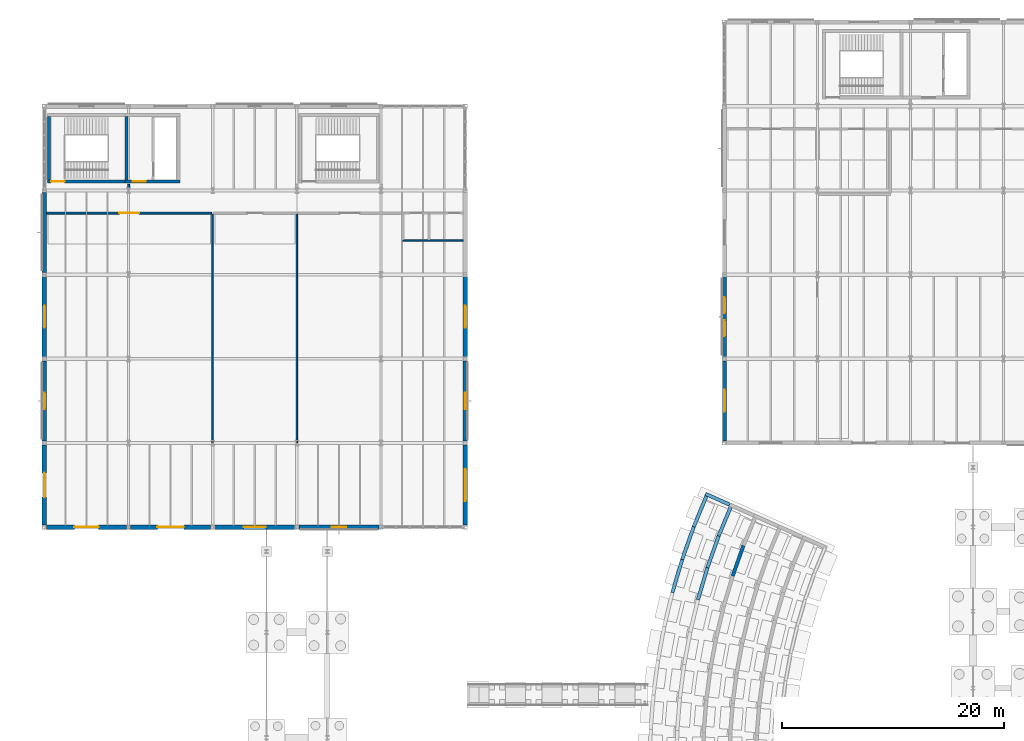
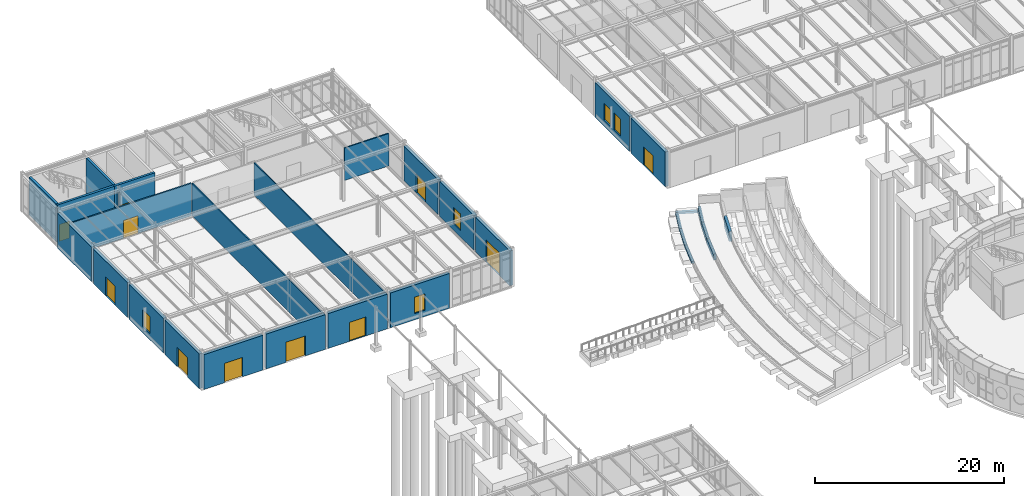
# One storey, part 86 of 109: 30 walls, 11 doors, 5 windows, 16 openings.
"""IFC4 building model written with IfcOpenShell, lengths in metres."""

from ifc_helpers import new_model, si_unit, direction, frame, frame_2d, origin, place, context, subcontext, project, spatial, rectangle, extrude, material, layer, layer_set, type_object, element, fill, save


model = new_model("IFC4")

# Units and contexts
model_context = context("Model", 3, precision=1e-05, world=origin(), true_north=direction((0.0, 1.0)))
body_context = subcontext(model_context, "Body", "Model", "MODEL_VIEW")
ifc_project = project(units=[si_unit("LENGTHUNIT", "METRE"), si_unit("AREAUNIT", "SQUARE_METRE"), si_unit("VOLUMEUNIT", "CUBIC_METRE"), si_unit("PLANEANGLEUNIT", "RADIAN"), si_unit("MASSUNIT", "GRAM", prefix="KILO")], contexts=[model_context])

# Site, building, storey
site_placement = place(None, origin())
site = spatial("IfcSite", under=ifc_project, at=site_placement, CompositionType="ELEMENT")
building_placement = place(site_placement, origin())
building = spatial("IfcBuilding", under=site, at=building_placement, Name="Montecoro Central Library", CompositionType="ELEMENT")
storey_placement = place(building_placement, origin())
storey = spatial("IfcBuildingStorey", under=building, at=storey_placement, Name="L00", CompositionType="ELEMENT", Elevation=0.0)

# Wall, openings, windows
ifc_material_1 = material(Name="Dark piperno stone clad concrete C35/45", Category="masonry")
ifc_layer_1 = layer(ifc_material_1, 0.385009765625)
ifc_layer_set_1 = layer_set([ifc_layer_1], Name="Dark piperno stone clad concrete C35/45")
wall_type_1 = type_object("IfcWallType", Name="EW-PIP-385", PredefinedType="SOLIDWALL", material=ifc_layer_set_1)
wall_1_placement = place(storey_placement, frame((66.39990234375, 96.02197265625, 0.0), z_axis=(0.0, 0.0, 1.0), x_axis=(0.0, -1.0, 0.0)))
wall_1 = element("IfcWall", 1, at=wall_1_placement, inside=storey, type_object=wall_type_1, Name="V2-L00-EW-W1", PredefinedType="SOLIDWALL", context=body_context, shape_type="SweptSolid", body=[
    extrude(rectangle(XDim=7.243896484375, YDim=0.385009765625, at=frame_2d((3.6220703125, 0.0))), origin(), (0.0, 0.0, 1.0), 4.5),
])
opening_1_placement = place(wall_1_placement, frame((1.846923828125, 0.0, 0.800048828125)))
opening_1 = element("IfcOpeningElement", 2, at=opening_1_placement, cuts=wall_1, Name="Opening WN-07", PredefinedType="OPENING", context=body_context, shape_type="SweptSolid", body=[
    extrude(rectangle(XDim=1.449951171875, YDim=2.199951171875, at=frame_2d((0.72509765625, 1.10009765625))), frame((0.0, 0.202392578125, 0.0), z_axis=(0.0, -1.0, 0.0), x_axis=(1.0, 0.0, 0.0)), (0.0, 0.0, 1.0), 0.405029296875),
])
opening_2_placement = place(wall_1_placement, frame((3.947021484375, 0.0, 0.800048828125)))
opening_2 = element("IfcOpeningElement", 3, at=opening_2_placement, cuts=wall_1, Name="Opening WN-07", PredefinedType="OPENING", context=body_context, shape_type="SweptSolid", body=[
    extrude(rectangle(XDim=1.449951171875, YDim=2.199951171875, at=frame_2d((0.72509765625, 1.10009765625))), frame((0.0, 0.202392578125, 0.0), z_axis=(0.0, -1.0, 0.0), x_axis=(1.0, 0.0, 0.0)), (0.0, 0.0, 1.0), 0.405029296875),
])
ifc_material_2 = material(Name="Laminated low-E double glazing", Category="glass")
window_type_1 = type_object("IfcWindowType", Name="WN-RDG-145", PartitioningType="SINGLE_PANEL", PredefinedType="WINDOW", material=ifc_material_2)
window_1_placement = place(opening_1_placement, origin())
window_1 = element("IfcWindow", 4, at=window_1_placement, inside=storey, type_object=window_type_1, Name="V2-L00-WN-W1-1", OverallHeight=2.199951171875, OverallWidth=1.449951171875, PartitioningType="SINGLE_PANEL", PredefinedType="WINDOW", context=body_context, shape_type="SweptSolid", body=[
    extrude(rectangle(XDim=1.449951171875, YDim=2.199951171875, at=frame_2d((0.72509765625, 1.10009765625))), frame((0.0, 0.030029296875, 0.0), z_axis=(0.0, -1.0, 0.0), x_axis=(1.0, 0.0, 0.0)), (0.0, 0.0, 1.0), 0.06005859375),
])
fill(opening_1, window_1)
window_2_placement = place(opening_2_placement, origin())
window_2 = element("IfcWindow", 5, at=window_2_placement, inside=storey, type_object=window_type_1, Name="V2-L00-WN-W1-2", OverallHeight=2.199951171875, OverallWidth=1.449951171875, PartitioningType="SINGLE_PANEL", PredefinedType="WINDOW", context=body_context, shape_type="SweptSolid", body=[
    extrude(rectangle(XDim=1.449951171875, YDim=2.199951171875, at=frame_2d((0.72509765625, 1.10009765625))), frame((0.0, 0.030029296875, 0.0), z_axis=(0.0, -1.0, 0.0), x_axis=(1.0, 0.0, 0.0)), (0.0, 0.0, 1.0), 0.06005859375),
])
fill(opening_2, window_2)

# Wall, opening, door
wall_2_placement = place(storey_placement, frame((66.39990234375, 88.422119140625, 0.0), z_axis=(0.0, 0.0, 1.0), x_axis=(0.0, -1.0, 0.0)))
wall_2 = element("IfcWall", 6, at=wall_2_placement, inside=storey, type_object=wall_type_1, Name="V2-L00-EW-W0", PredefinedType="SOLIDWALL", context=body_context, shape_type="SweptSolid", body=[
    extrude(rectangle(XDim=7.244140625, YDim=0.385009765625, at=frame_2d((3.6220703125, 0.0))), origin(), (0.0, 0.0, 1.0), 4.5),
])
opening_3_placement = place(wall_2_placement, frame((2.6220703125, 0.0, 0.0)))
opening_3 = element("IfcOpeningElement", 7, at=opening_3_placement, cuts=wall_2, Name="Opening ED-03", PredefinedType="OPENING", context=body_context, shape_type="SweptSolid", body=[
    extrude(rectangle(XDim=2.0, YDim=2.449951171875, at=frame_2d((1.0, 1.22509765625))), frame((0.0, 0.202392578125, 0.0), z_axis=(0.0, -1.0, 0.0), x_axis=(1.0, 0.0, 0.0)), (0.0, 0.0, 1.0), 0.405029296875),
])
ifc_material_3 = material(Name="Thermally broken architectural bronze and safety glass", Category="glass")
door_type_1 = type_object("IfcDoorType", Name="ED-EXIT-200", OperationType="NOTDEFINED", PredefinedType="DOOR", material=ifc_material_3)
door_1_placement = place(opening_3_placement, origin())
door_1 = element("IfcDoor", 8, at=door_1_placement, inside=storey, type_object=door_type_1, Name="V2-L00-ED-W0", OperationType="SINGLE_SWING_LEFT", OverallHeight=2.449951171875, OverallWidth=2.0, PredefinedType="DOOR", context=body_context, shape_type="SweptSolid", body=[
    extrude(rectangle(XDim=2.0, YDim=2.449951171875, at=frame_2d((1.0, 1.22509765625))), frame((0.0, 0.02490234375, 0.0), z_axis=(0.0, -1.0, 0.0), x_axis=(1.0, 0.0, 0.0)), (0.0, 0.0, 1.0), 0.050048828125),
])
fill(opening_3, door_1)

wall_3_placement = place(storey_placement, frame((5.177978515625, 73.39990234375, 0.0), z_axis=(0.0, 0.0, 1.0), x_axis=(1.0, 0.0, 0.0)))
wall_3 = element("IfcWall", 9, at=wall_3_placement, inside=storey, type_object=wall_type_1, Name="V4-L00-EW-S0", PredefinedType="SOLIDWALL", context=body_context, shape_type="SweptSolid", body=[
    extrude(rectangle(XDim=7.244140625, YDim=0.385009765625, at=frame_2d((3.6220703125, 0.0))), origin(), (0.0, 0.0, 1.0), 4.5),
])
opening_4_placement = place(wall_3_placement, frame((2.52197265625, 0.0, 0.0)))
opening_4 = element("IfcOpeningElement", 10, at=opening_4_placement, cuts=wall_3, Name="Opening ED-01", PredefinedType="OPENING", context=body_context, shape_type="SweptSolid", body=[
    extrude(rectangle(XDim=2.199951171875, YDim=2.5, at=frame_2d((1.10009765625, 1.25))), frame((0.0, 0.202392578125, 0.0), z_axis=(0.0, -1.0, 0.0), x_axis=(1.0, 0.0, 0.0)), (0.0, 0.0, 1.0), 0.405029296875),
])
door_type_2 = type_object("IfcDoorType", Name="ED-EXIT-220", OperationType="NOTDEFINED", PredefinedType="DOOR", material=ifc_material_3)
door_2_placement = place(opening_4_placement, origin())
door_2 = element("IfcDoor", 11, at=door_2_placement, inside=storey, type_object=door_type_2, Name="V4-L00-ED-S0", OperationType="SINGLE_SWING_LEFT", OverallHeight=2.5, OverallWidth=2.199951171875, PredefinedType="DOOR", context=body_context, shape_type="SweptSolid", body=[
    extrude(rectangle(XDim=2.199951171875, YDim=2.5, at=frame_2d((1.10009765625, 1.25))), frame((0.0, 0.02490234375, 0.0), z_axis=(0.0, -1.0, 0.0), x_axis=(1.0, 0.0, 0.0)), (0.0, 0.0, 1.0), 0.050048828125),
])
fill(opening_4, door_2)

wall_4_placement = place(storey_placement, frame((12.778076171875, 73.39990234375, 0.0), z_axis=(0.0, 0.0, 1.0), x_axis=(1.0, 0.0, 0.0)))
wall_4 = element("IfcWall", 12, at=wall_4_placement, inside=storey, type_object=wall_type_1, Name="V4-L00-EW-S1", PredefinedType="SOLIDWALL", context=body_context, shape_type="SweptSolid", body=[
    extrude(rectangle(XDim=7.243896484375, YDim=0.385009765625, at=frame_2d((3.6220703125, 0.0))), origin(), (0.0, 0.0, 1.0), 4.5),
])
opening_5_placement = place(wall_4_placement, frame((2.422119140625, 0.0, 0.0)))
opening_5 = element("IfcOpeningElement", 13, at=opening_5_placement, cuts=wall_4, Name="Opening ED-02", PredefinedType="OPENING", context=body_context, shape_type="SweptSolid", body=[
    extrude(rectangle(XDim=2.39990234375, YDim=2.60009765625, at=frame_2d((1.199951171875, 1.300048828125))), frame((0.0, 0.202392578125, 0.0), z_axis=(0.0, -1.0, 0.0), x_axis=(1.0, 0.0, 0.0)), (0.0, 0.0, 1.0), 0.405029296875),
])
door_type_3 = type_object("IfcDoorType", Name="ED-EXIT-240", OperationType="NOTDEFINED", PredefinedType="DOOR", material=ifc_material_3)
door_3_placement = place(opening_5_placement, origin())
door_3 = element("IfcDoor", 14, at=door_3_placement, inside=storey, type_object=door_type_3, Name="V4-L00-ED-S1", OperationType="SINGLE_SWING_RIGHT", OverallHeight=2.60009765625, OverallWidth=2.39990234375, PredefinedType="DOOR", context=body_context, shape_type="SweptSolid", body=[
    extrude(rectangle(XDim=2.39990234375, YDim=2.60009765625, at=frame_2d((1.199951171875, 1.300048828125))), frame((0.0, 0.02490234375, 0.0), z_axis=(0.0, -1.0, 0.0), x_axis=(1.0, 0.0, 0.0)), (0.0, 0.0, 1.0), 0.050048828125),
])
fill(opening_5, door_3)

wall_5_placement = place(storey_placement, frame((20.3779296875, 73.39990234375, 0.0), z_axis=(0.0, 0.0, 1.0), x_axis=(1.0, 0.0, 0.0)))
wall_5 = element("IfcWall", 15, at=wall_5_placement, inside=storey, type_object=wall_type_1, Name="V4-L00-EW-S2", PredefinedType="SOLIDWALL", context=body_context, shape_type="SweptSolid", body=[
    extrude(rectangle(XDim=7.244140625, YDim=0.385009765625, at=frame_2d((3.6220703125, 0.0))), origin(), (0.0, 0.0, 1.0), 4.5),
])
opening_6_placement = place(wall_5_placement, frame((2.6220703125, 0.0, 0.0)))
opening_6 = element("IfcOpeningElement", 16, at=opening_6_placement, cuts=wall_5, Name="Opening ED-03", PredefinedType="OPENING", context=body_context, shape_type="SweptSolid", body=[
    extrude(rectangle(XDim=2.0, YDim=2.449951171875, at=frame_2d((1.0, 1.22509765625))), frame((0.0, 0.202392578125, 0.0), z_axis=(0.0, -1.0, 0.0), x_axis=(1.0, 0.0, 0.0)), (0.0, 0.0, 1.0), 0.405029296875),
])
door_4_placement = place(opening_6_placement, origin())
door_4 = element("IfcDoor", 17, at=door_4_placement, inside=storey, type_object=door_type_1, Name="V4-L00-ED-S2", OperationType="SINGLE_SWING_LEFT", OverallHeight=2.449951171875, OverallWidth=2.0, PredefinedType="DOOR", context=body_context, shape_type="SweptSolid", body=[
    extrude(rectangle(XDim=2.0, YDim=2.449951171875, at=frame_2d((1.0, 1.22509765625))), frame((0.0, 0.02490234375, 0.0), z_axis=(0.0, -1.0, 0.0), x_axis=(1.0, 0.0, 0.0)), (0.0, 0.0, 1.0), 0.050048828125),
])
fill(opening_6, door_4)

# Wall, opening, window
wall_6_placement = place(storey_placement, frame((27.97802734375, 73.39990234375, 0.0), z_axis=(0.0, 0.0, 1.0), x_axis=(1.0, 0.0, 0.0)))
wall_6 = element("IfcWall", 18, at=wall_6_placement, inside=storey, type_object=wall_type_1, Name="V4-L00-EW-S3", PredefinedType="SOLIDWALL", context=body_context, shape_type="SweptSolid", body=[
    extrude(rectangle(XDim=7.243896484375, YDim=0.385009765625, at=frame_2d((3.6220703125, 0.0))), origin(), (0.0, 0.0, 1.0), 4.5),
])
opening_7_placement = place(wall_6_placement, frame((2.971923828125, 0.0, 0.800048828125)))
opening_7 = element("IfcOpeningElement", 19, at=opening_7_placement, cuts=wall_6, Name="Opening WN-15", PredefinedType="OPENING", context=body_context, shape_type="SweptSolid", body=[
    extrude(rectangle(XDim=1.300048828125, YDim=2.1201171875, at=frame_2d((0.64990234375, 1.06005859375))), frame((0.0, 0.202392578125, 0.0), z_axis=(0.0, -1.0, 0.0), x_axis=(1.0, 0.0, 0.0)), (0.0, 0.0, 1.0), 0.405029296875),
])
ifc_material_4 = material(Name="Acoustic laminated double glazing", Category="glass")
window_type_2 = type_object("IfcWindowType", Name="WN-AUD-130", PartitioningType="SINGLE_PANEL", PredefinedType="WINDOW", material=ifc_material_4)
window_3_placement = place(opening_7_placement, origin())
window_3 = element("IfcWindow", 20, at=window_3_placement, inside=storey, type_object=window_type_2, Name="V4-L00-WN-S3-1", OverallHeight=2.1201171875, OverallWidth=1.300048828125, PartitioningType="SINGLE_PANEL", PredefinedType="WINDOW", context=body_context, shape_type="SweptSolid", body=[
    extrude(rectangle(XDim=1.300048828125, YDim=2.1201171875, at=frame_2d((0.64990234375, 1.06005859375))), frame((0.0, 0.030029296875, 0.0), z_axis=(0.0, -1.0, 0.0), x_axis=(1.0, 0.0, 0.0)), (0.0, 0.0, 1.0), 0.06005859375),
])
fill(opening_7, window_3)

# Wall, opening, door
wall_7_placement = place(storey_placement, frame((43.0, 73.577880859375, 0.0), z_axis=(0.0, 0.0, 1.0), x_axis=(0.0, 1.0, 0.0)))
wall_7 = element("IfcWall", 21, at=wall_7_placement, inside=storey, type_object=wall_type_1, Name="V4-L00-EW-E0", PredefinedType="SOLIDWALL", context=body_context, shape_type="SweptSolid", body=[
    extrude(rectangle(XDim=7.244140625, YDim=0.385009765625, at=frame_2d((3.6220703125, 0.0))), origin(), (0.0, 0.0, 1.0), 4.5),
])
opening_8_placement = place(wall_7_placement, frame((2.172119140625, 0.0, 0.0)))
opening_8 = element("IfcOpeningElement", 22, at=opening_8_placement, cuts=wall_7, Name="Opening EG-02", PredefinedType="OPENING", context=body_context, shape_type="SweptSolid", body=[
    extrude(rectangle(XDim=2.89990234375, YDim=2.949951171875, at=frame_2d((1.449951171875, 1.47509765625))), frame((0.0, 0.202392578125, 0.0), z_axis=(0.0, -1.0, 0.0), x_axis=(1.0, 0.0, 0.0)), (0.0, 0.0, 1.0), 0.405029296875),
])
door_type_4 = type_object("IfcDoorType", Name="ED-GATE-290", OperationType="NOTDEFINED", PredefinedType="GATE", material=ifc_material_3)
door_5_placement = place(opening_8_placement, origin())
door_5 = element("IfcDoor", 23, at=door_5_placement, inside=storey, type_object=door_type_4, Name="V4-L00-GT-E0", OperationType="ROLLINGUP", OverallHeight=2.949951171875, OverallWidth=2.89990234375, PredefinedType="GATE", context=body_context, shape_type="SweptSolid", body=[
    extrude(rectangle(XDim=2.89990234375, YDim=2.949951171875, at=frame_2d((1.449951171875, 1.47509765625))), frame((0.0, 0.02490234375, 0.0), z_axis=(0.0, -1.0, 0.0), x_axis=(1.0, 0.0, 0.0)), (0.0, 0.0, 1.0), 0.050048828125),
])
fill(opening_8, door_5)

# Wall, opening, window
wall_8_placement = place(storey_placement, frame((43.0, 81.177978515625, 0.0), z_axis=(0.0, 0.0, 1.0), x_axis=(0.0, 1.0, 0.0)))
wall_8 = element("IfcWall", 24, at=wall_8_placement, inside=storey, type_object=wall_type_1, Name="V4-L00-EW-E1", PredefinedType="SOLIDWALL", context=body_context, shape_type="SweptSolid", body=[
    extrude(rectangle(XDim=7.244140625, YDim=0.385009765625, at=frame_2d((3.6220703125, 0.0))), origin(), (0.0, 0.0, 1.0), 4.5),
])
opening_9_placement = place(wall_8_placement, frame((2.8720703125, 0.0, 0.800048828125)))
opening_9 = element("IfcOpeningElement", 25, at=opening_9_placement, cuts=wall_8, Name="Opening WN-16", PredefinedType="OPENING", context=body_context, shape_type="SweptSolid", body=[
    extrude(rectangle(XDim=1.5, YDim=2.179931640625, at=frame_2d((0.75, 1.08984375))), frame((0.0, 0.202392578125, 0.0), z_axis=(0.0, -1.0, 0.0), x_axis=(1.0, 0.0, 0.0)), (0.0, 0.0, 1.0), 0.405029296875),
])
window_type_3 = type_object("IfcWindowType", Name="WN-AUD-150", PartitioningType="SINGLE_PANEL", PredefinedType="WINDOW", material=ifc_material_4)
window_4_placement = place(opening_9_placement, origin())
window_4 = element("IfcWindow", 26, at=window_4_placement, inside=storey, type_object=window_type_3, Name="V4-L00-WN-E1-1", OverallHeight=2.179931640625, OverallWidth=1.5, PartitioningType="SINGLE_PANEL", PredefinedType="WINDOW", context=body_context, shape_type="SweptSolid", body=[
    extrude(rectangle(XDim=1.5, YDim=2.179931640625, at=frame_2d((0.75, 1.08984375))), frame((0.0, 0.030029296875, 0.0), z_axis=(0.0, -1.0, 0.0), x_axis=(1.0, 0.0, 0.0)), (0.0, 0.0, 1.0), 0.06005859375),
])
fill(opening_9, window_4)

# Wall, opening, door
wall_9_placement = place(storey_placement, frame((43.0, 88.778076171875, 0.0), z_axis=(0.0, 0.0, 1.0), x_axis=(0.0, 1.0, 0.0)))
wall_9 = element("IfcWall", 27, at=wall_9_placement, inside=storey, type_object=wall_type_1, Name="V4-L00-EW-E2", PredefinedType="SOLIDWALL", context=body_context, shape_type="SweptSolid", body=[
    extrude(rectangle(XDim=7.243896484375, YDim=0.385009765625, at=frame_2d((3.6220703125, 0.0))), origin(), (0.0, 0.0, 1.0), 4.5),
])
opening_10_placement = place(wall_9_placement, frame((2.6220703125, 0.0, 0.0)))
opening_10 = element("IfcOpeningElement", 28, at=opening_10_placement, cuts=wall_9, Name="Opening ED-03", PredefinedType="OPENING", context=body_context, shape_type="SweptSolid", body=[
    extrude(rectangle(XDim=2.0, YDim=2.449951171875, at=frame_2d((1.0, 1.22509765625))), frame((0.0, 0.202392578125, 0.0), z_axis=(0.0, -1.0, 0.0), x_axis=(1.0, 0.0, 0.0)), (0.0, 0.0, 1.0), 0.405029296875),
])
door_6_placement = place(opening_10_placement, origin())
door_6 = element("IfcDoor", 29, at=door_6_placement, inside=storey, type_object=door_type_1, Name="V4-L00-ED-E2", OperationType="SINGLE_SWING_RIGHT", OverallHeight=2.449951171875, OverallWidth=2.0, PredefinedType="DOOR", context=body_context, shape_type="SweptSolid", body=[
    extrude(rectangle(XDim=2.0, YDim=2.449951171875, at=frame_2d((1.0, 1.22509765625))), frame((0.0, 0.02490234375, 0.0), z_axis=(0.0, -1.0, 0.0), x_axis=(1.0, 0.0, 0.0)), (0.0, 0.0, 1.0), 0.050048828125),
])
fill(opening_10, door_6)

# Wall
wall_10_placement = place(storey_placement, frame((5.0, 103.6220703125, 0.0), z_axis=(0.0, 0.0, 1.0), x_axis=(0.0, -1.0, 0.0)))
element("IfcWall", 30, at=wall_10_placement, inside=storey, type_object=wall_type_1, Name="V4-L00-EW-W3", PredefinedType="SOLIDWALL", context=body_context, shape_type="SweptSolid", body=[
    extrude(rectangle(XDim=7.244140625, YDim=0.385009765625, at=frame_2d((3.6220703125, 0.0))), origin(), (0.0, 0.0, 1.0), 4.5),
])

# Wall, opening, door
wall_11_placement = place(storey_placement, frame((5.0, 96.02197265625, 0.0), z_axis=(0.0, 0.0, 1.0), x_axis=(0.0, -1.0, 0.0)))
wall_11 = element("IfcWall", 31, at=wall_11_placement, inside=storey, type_object=wall_type_1, Name="V4-L00-EW-W2", PredefinedType="SOLIDWALL", context=body_context, shape_type="SweptSolid", body=[
    extrude(rectangle(XDim=7.243896484375, YDim=0.385009765625, at=frame_2d((3.6220703125, 0.0))), origin(), (0.0, 0.0, 1.0), 4.5),
])
opening_11_placement = place(wall_11_placement, frame((2.6220703125, 0.0, 0.0)))
opening_11 = element("IfcOpeningElement", 32, at=opening_11_placement, cuts=wall_11, Name="Opening ED-03", PredefinedType="OPENING", context=body_context, shape_type="SweptSolid", body=[
    extrude(rectangle(XDim=2.0, YDim=2.449951171875, at=frame_2d((1.0, 1.22509765625))), frame((0.0, 0.202392578125, 0.0), z_axis=(0.0, -1.0, 0.0), x_axis=(1.0, 0.0, 0.0)), (0.0, 0.0, 1.0), 0.405029296875),
])
door_7_placement = place(opening_11_placement, origin())
door_7 = element("IfcDoor", 33, at=door_7_placement, inside=storey, type_object=door_type_1, Name="V4-L00-ED-W2", OperationType="SINGLE_SWING_LEFT", OverallHeight=2.449951171875, OverallWidth=2.0, PredefinedType="DOOR", context=body_context, shape_type="SweptSolid", body=[
    extrude(rectangle(XDim=2.0, YDim=2.449951171875, at=frame_2d((1.0, 1.22509765625))), frame((0.0, 0.02490234375, 0.0), z_axis=(0.0, -1.0, 0.0), x_axis=(1.0, 0.0, 0.0)), (0.0, 0.0, 1.0), 0.050048828125),
])
fill(opening_11, door_7)

# Wall, opening, window
wall_12_placement = place(storey_placement, frame((5.0, 88.422119140625, 0.0), z_axis=(0.0, 0.0, 1.0), x_axis=(0.0, -1.0, 0.0)))
wall_12 = element("IfcWall", 34, at=wall_12_placement, inside=storey, type_object=wall_type_1, Name="V4-L00-EW-W1", PredefinedType="SOLIDWALL", context=body_context, shape_type="SweptSolid", body=[
    extrude(rectangle(XDim=7.244140625, YDim=0.385009765625, at=frame_2d((3.6220703125, 0.0))), origin(), (0.0, 0.0, 1.0), 4.5),
])
opening_12_placement = place(wall_12_placement, frame((2.8720703125, 0.0, 0.800048828125)))
opening_12 = element("IfcOpeningElement", 35, at=opening_12_placement, cuts=wall_12, Name="Opening WN-16", PredefinedType="OPENING", context=body_context, shape_type="SweptSolid", body=[
    extrude(rectangle(XDim=1.5, YDim=2.179931640625, at=frame_2d((0.75, 1.08984375))), frame((0.0, 0.202392578125, 0.0), z_axis=(0.0, -1.0, 0.0), x_axis=(1.0, 0.0, 0.0)), (0.0, 0.0, 1.0), 0.405029296875),
])
window_5_placement = place(opening_12_placement, origin())
window_5 = element("IfcWindow", 36, at=window_5_placement, inside=storey, type_object=window_type_3, Name="V4-L00-WN-W1-1", OverallHeight=2.179931640625, OverallWidth=1.5, PartitioningType="SINGLE_PANEL", PredefinedType="WINDOW", context=body_context, shape_type="SweptSolid", body=[
    extrude(rectangle(XDim=1.5, YDim=2.179931640625, at=frame_2d((0.75, 1.08984375))), frame((0.0, 0.030029296875, 0.0), z_axis=(0.0, -1.0, 0.0), x_axis=(1.0, 0.0, 0.0)), (0.0, 0.0, 1.0), 0.06005859375),
])
fill(opening_12, window_5)

# Wall, opening, door
wall_13_placement = place(storey_placement, frame((5.0, 80.822021484375, 0.0), z_axis=(0.0, 0.0, 1.0), x_axis=(0.0, -1.0, 0.0)))
wall_13 = element("IfcWall", 37, at=wall_13_placement, inside=storey, type_object=wall_type_1, Name="V4-L00-EW-W0", PredefinedType="SOLIDWALL", context=body_context, shape_type="SweptSolid", body=[
    extrude(rectangle(XDim=7.244140625, YDim=0.385009765625, at=frame_2d((3.6220703125, 0.0))), origin(), (0.0, 0.0, 1.0), 4.5),
])
opening_13_placement = place(wall_13_placement, frame((2.52197265625, 0.0, 0.0)))
opening_13 = element("IfcOpeningElement", 38, at=opening_13_placement, cuts=wall_13, Name="Opening ED-01", PredefinedType="OPENING", context=body_context, shape_type="SweptSolid", body=[
    extrude(rectangle(XDim=2.199951171875, YDim=2.5, at=frame_2d((1.10009765625, 1.25))), frame((0.0, 0.202392578125, 0.0), z_axis=(0.0, -1.0, 0.0), x_axis=(1.0, 0.0, 0.0)), (0.0, 0.0, 1.0), 0.405029296875),
])
door_8_placement = place(opening_13_placement, origin())
door_8 = element("IfcDoor", 39, at=door_8_placement, inside=storey, type_object=door_type_2, Name="V4-L00-ED-W0", OperationType="SINGLE_SWING_RIGHT", OverallHeight=2.5, OverallWidth=2.199951171875, PredefinedType="DOOR", context=body_context, shape_type="SweptSolid", body=[
    extrude(rectangle(XDim=2.199951171875, YDim=2.5, at=frame_2d((1.10009765625, 1.25))), frame((0.0, 0.02490234375, 0.0), z_axis=(0.0, -1.0, 0.0), x_axis=(1.0, 0.0, 0.0)), (0.0, 0.0, 1.0), 0.050048828125),
])
fill(opening_13, door_8)

# Walls
ifc_material_5 = material(Name="Roman travertine stone clad concrete C35/45", Category="masonry")
ifc_layer_2 = layer(ifc_material_5, 0.31005859375)
ifc_layer_set_2 = layer_set([ifc_layer_2], Name="Roman travertine stone clad concrete C35/45")
wall_type_2 = type_object("IfcWallType", Name="EW-TRV-LB-310", PredefinedType="SOLIDWALL", material=ifc_layer_set_2)
wall_14_placement = place(storey_placement, frame((64.842041015625, 76.35693359375, 0.0), z_axis=(0.0, 0.0, 1.0), x_axis=(-0.382970181487, -0.923760704994, 0.0)))
element("IfcWall", 40, at=wall_14_placement, inside=storey, type_object=wall_type_2, Name="Stepped Terrace Retaining Wall 1", PredefinedType="SOLIDWALL", context=body_context, shape_type="SweptSolid", body=[
    extrude(rectangle(XDim=3.1728515625, YDim=0.31005859375, at=frame_2d((1.58642578125, 0.0))), origin(), (0.0, 0.0, 1.0), 0.260009765625),
])
wall_15_placement = place(storey_placement, frame((63.64208984375, 73.462890625, 0.0), z_axis=(0.0, 0.0, 1.0), x_axis=(-0.333882761126, -0.942614609383, 0.0)))
element("IfcWall", 41, at=wall_15_placement, inside=storey, type_object=wall_type_2, Name="Stepped Terrace Retaining Wall 1", PredefinedType="SOLIDWALL", context=body_context, shape_type="SweptSolid", body=[
    extrude(rectangle(XDim=3.172119140625, YDim=0.31005859375, at=frame_2d((1.5859375, 0.0))), origin(), (0.0, 0.0, 1.0), 0.260009765625),
])
wall_16_placement = place(storey_placement, frame((62.594970703125, 70.510986328125, 0.0), z_axis=(0.0, 0.0, 1.0), x_axis=(-0.283873538045, -0.958861728508, 0.0)))
element("IfcWall", 42, at=wall_16_placement, inside=storey, type_object=wall_type_2, Name="Stepped Terrace Retaining Wall 1", PredefinedType="SOLIDWALL", context=body_context, shape_type="SweptSolid", body=[
    extrude(rectangle(XDim=3.173583984375, YDim=0.31005859375, at=frame_2d((1.5869140625, 0.0))), origin(), (0.0, 0.0, 1.0), 0.260009765625),
])
wall_17_placement = place(storey_placement, frame((66.862060546875, 75.43603515625, 0.0), z_axis=(0.0, 0.0, 1.0), x_axis=(-0.913538328028, 0.406752656076, 0.0)))
element("IfcWall", 43, at=wall_17_placement, inside=storey, type_object=wall_type_2, Name="V1-STEP-CHK-01-N", PredefinedType="SOLIDWALL", context=body_context, shape_type="SweptSolid", body=[
    extrude(rectangle(XDim=2.360107421875, YDim=0.31005859375, at=frame_2d((1.18017578125, 0.0))), origin(), (0.0, 0.0, 1.0), 0.260009765625),
])
wall_18_placement = place(storey_placement, frame((67.033935546875, 75.381103515625, 0.0), z_axis=(0.0, 0.0, 1.0), x_axis=(-0.382663149086, -0.92388793386, 0.0)))
element("IfcWall", 44, at=wall_18_placement, inside=storey, type_object=wall_type_2, Name="Stepped Terrace Retaining Wall 2", PredefinedType="SOLIDWALL", context=body_context, shape_type="SweptSolid", body=[
    extrude(rectangle(XDim=3.047119140625, YDim=0.31005859375, at=frame_2d((1.5234375, 0.0))), origin(), (0.0, 0.0, 1.0), 0.780029296875),
])
wall_19_placement = place(storey_placement, frame((65.882080078125, 72.60302734375, 0.0), z_axis=(0.0, 0.0, 1.0), x_axis=(-0.333817476112, -0.942637731391, 0.0)))
element("IfcWall", 45, at=wall_19_placement, inside=storey, type_object=wall_type_2, Name="Stepped Terrace Retaining Wall 2", PredefinedType="SOLIDWALL", context=body_context, shape_type="SweptSolid", body=[
    extrude(rectangle(XDim=3.046875, YDim=0.31005859375, at=frame_2d((1.5234375, 0.0))), origin(), (0.0, 0.0, 1.0), 0.780029296875),
])
wall_20_placement = place(storey_placement, frame((64.876953125, 69.76904296875, 0.0), z_axis=(0.0, 0.0, 1.0), x_axis=(-0.283840101429, -0.958871626872, 0.0)))
element("IfcWall", 46, at=wall_20_placement, inside=storey, type_object=wall_type_2, Name="Stepped Terrace Retaining Wall 2", PredefinedType="SOLIDWALL", context=body_context, shape_type="SweptSolid", body=[
    extrude(rectangle(XDim=3.04736328125, YDim=0.31005859375, at=frame_2d((1.523681640625, 0.0))), origin(), (0.0, 0.0, 1.0), 0.780029296875),
])
wall_21_placement = place(storey_placement, frame((68.123046875, 71.742919921875, 0.0), z_axis=(0.0, 0.0, 1.0), x_axis=(-0.333772886679, -0.942653520716, 0.0)))
element("IfcWall", 47, at=wall_21_placement, inside=storey, type_object=wall_type_2, Name="Stepped Terrace Retaining Wall 3", PredefinedType="SOLIDWALL", context=body_context, shape_type="SweptSolid", body=[
    extrude(rectangle(XDim=2.92138671875, YDim=0.31005859375, at=frame_2d((1.460693359375, 0.0))), origin(), (0.0, 0.0, 1.0), 1.340087890625),
])

# Wall, opening, door
ifc_material_6 = material(Name="Gypsum fire-rated partition")
ifc_layer_3 = layer(ifc_material_6, 0.179931640625)
ifc_layer_set_3 = layer_set([ifc_layer_3], Name="Gypsum fire-rated partition")
wall_type_3 = type_object("IfcWallType", Name="IW-COR-180", PredefinedType="PARTITIONING", material=ifc_layer_set_3)
wall_22_placement = place(storey_placement, frame((5.199951171875, 101.75, 0.0), z_axis=(0.0, 0.0, 1.0), x_axis=(1.0, 0.0, 0.0)))
wall_22 = element("IfcWall", 48, at=wall_22_placement, inside=storey, type_object=wall_type_3, Name="CORW-V4-L00-01", PredefinedType="PARTITIONING", context=body_context, shape_type="SweptSolid", body=[
    extrude(rectangle(XDim=14.91015625, YDim=0.179931640625, at=frame_2d((7.455078125, 0.0))), origin(), (0.0, 0.0, 1.0), 4.199951171875),
])
opening_14_placement = place(wall_22_placement, frame((6.554931640625, 0.0, 0.0)))
opening_14 = element("IfcOpeningElement", 49, at=opening_14_placement, cuts=wall_22, Name="Opening ID-10", PredefinedType="OPENING", context=body_context, shape_type="SweptSolid", body=[
    extrude(rectangle(XDim=1.800048828125, YDim=2.300048828125, at=frame_2d((0.89990234375, 1.14990234375))), frame((0.0, 0.099853515625, 0.0), z_axis=(0.0, -1.0, 0.0), x_axis=(1.0, 0.0, 0.0)), (0.0, 0.0, 1.0), 0.199951171875),
])
ifc_material_7 = material(Name="Solid oak and fire-rated steel door", Category="steel")
door_type_5 = type_object("IfcDoorType", Name="ID-AUD-180", OperationType="NOTDEFINED", PredefinedType="DOOR", material=ifc_material_7)
door_9_placement = place(opening_14_placement, origin())
door_9 = element("IfcDoor", 50, at=door_9_placement, inside=storey, type_object=door_type_5, Name="DR-SP-V4-L00-R1P1", OperationType="DOUBLE_DOOR_SINGLE_SWING", OverallHeight=2.300048828125, OverallWidth=1.800048828125, PredefinedType="DOOR", context=body_context, shape_type="SweptSolid", body=[
    extrude(rectangle(XDim=1.800048828125, YDim=2.300048828125, at=frame_2d((0.89990234375, 1.14990234375))), frame((0.0, 0.02490234375, 0.0), z_axis=(0.0, -1.0, 0.0), x_axis=(1.0, 0.0, 0.0)), (0.0, 0.0, 1.0), 0.050048828125),
])
fill(opening_14, door_9)

# Walls
wall_23_placement = place(storey_placement, frame((12.60009765625, 104.0400390625, 0.0), z_axis=(0.0, 0.0, 1.0), x_axis=(0.0, 1.0, 0.0)))
element("IfcWall", 51, at=wall_23_placement, inside=storey, type_object=wall_type_3, Name="PIL-V4-L00-1", PredefinedType="PARTITIONING", context=body_context, shape_type="SweptSolid", body=[
    extrude(rectangle(XDim=0.320068359375, YDim=0.179931640625, at=frame_2d((0.16015625, 0.0))), origin(), (0.0, 0.0, 1.0), 4.199951171875),
])
ifc_material_8 = material(Name="Gypsum metal-stud partition")
ifc_layer_4 = layer(ifc_material_8, 0.1201171875)
ifc_layer_set_4 = layer_set([ifc_layer_4], Name="Gypsum metal-stud partition")
wall_type_4 = type_object("IfcWallType", Name="IW-PRT-120", PredefinedType="PARTITIONING", material=ifc_layer_set_4)
wall_24_placement = place(storey_placement, frame((27.800048828125, 73.719970703125, 0.0), z_axis=(0.0, 0.0, 1.0), x_axis=(0.0, 1.0, 0.0)))
element("IfcWall", 52, at=wall_24_placement, inside=storey, type_object=wall_type_4, Name="DIVW-V4-L00-02-1", PredefinedType="PARTITIONING", context=body_context, shape_type="SweptSolid", body=[
    extrude(rectangle(XDim=27.93994140625, YDim=0.1201171875, at=frame_2d((13.969970703125, 0.0))), origin(), (0.0, 0.0, 1.0), 4.199951171875),
])
ifc_layer_5 = layer(ifc_material_8, 0.139892578125)
ifc_layer_set_5 = layer_set([ifc_layer_5], Name="Gypsum metal-stud partition")
wall_type_5 = type_object("IfcWallType", Name="IW-PRT-140", PredefinedType="PARTITIONING", material=ifc_layer_set_5)
wall_25_placement = place(storey_placement, frame((20.199951171875, 73.719970703125, 0.0), z_axis=(0.0, 0.0, 1.0), x_axis=(0.0, 1.0, 0.0)))
element("IfcWall", 53, at=wall_25_placement, inside=storey, type_object=wall_type_5, Name="DIVW-V4-L00-01-1", PredefinedType="PARTITIONING", context=body_context, shape_type="SweptSolid", body=[
    extrude(rectangle(XDim=27.93994140625, YDim=0.139892578125, at=frame_2d((13.969970703125, 0.0))), origin(), (0.0, 0.0, 1.0), 4.199951171875),
])

# Wall, opening, door
ifc_material_9 = material(Name="Concrete C35/45", Category="concrete")
ifc_layer_6 = layer(ifc_material_9, 0.280029296875)
ifc_layer_set_6 = layer_set([ifc_layer_6], Name="Concrete C35/45")
wall_type_6 = type_object("IfcWallType", Name="IW-SHR-280", PredefinedType="SHEAR", material=ifc_layer_set_6)
wall_26_placement = place(storey_placement, frame((12.280029296875, 104.60009765625, 0.0), z_axis=(0.0, 0.0, 1.0), x_axis=(1.0, 0.0, 0.0)))
wall_26 = element("IfcWall", 54, at=wall_26_placement, inside=storey, type_object=wall_type_6, Name="C5-L00-LWS", PredefinedType="SHEAR", context=body_context, shape_type="SweptSolid", body=[
    extrude(rectangle(XDim=4.9599609375, YDim=0.280029296875, at=frame_2d((2.47998046875, 0.0))), origin(), (0.0, 0.0, 1.0), 4.864990234375),
])
opening_15_placement = place(wall_26_placement, frame((0.68994140625, 0.0, 0.0)))
opening_15 = element("IfcOpeningElement", 55, at=opening_15_placement, cuts=wall_26, Name="Opening ID-03", PredefinedType="OPENING", context=body_context, shape_type="SweptSolid", body=[
    extrude(rectangle(XDim=1.199951171875, YDim=2.159912109375, at=frame_2d((0.60009765625, 1.080078125))), frame((0.0, 0.14990234375, 0.0), z_axis=(0.0, -1.0, 0.0), x_axis=(1.0, 0.0, 0.0)), (0.0, 0.0, 1.0), 0.300048828125),
])
door_type_6 = type_object("IfcDoorType", Name="ID-FFL-120", OperationType="NOTDEFINED", PredefinedType="DOOR", material=ifc_material_7)
door_10_placement = place(opening_15_placement, origin())
door_10 = element("IfcDoor", 56, at=door_10_placement, inside=storey, type_object=door_type_6, Name="C5-L00-DLOB", OperationType="SINGLE_SWING_LEFT", OverallHeight=2.159912109375, OverallWidth=1.199951171875, PredefinedType="DOOR", context=body_context, shape_type="SweptSolid", body=[
    extrude(rectangle(XDim=1.199951171875, YDim=2.159912109375, at=frame_2d((0.60009765625, 1.080078125))), frame((0.0, 0.02490234375, 0.0), z_axis=(0.0, -1.0, 0.0), x_axis=(1.0, 0.0, 0.0)), (0.0, 0.0, 1.0), 0.050048828125),
])
fill(opening_15, door_10)

wall_27_placement = place(storey_placement, frame((5.280029296875, 104.60009765625, 0.0), z_axis=(0.0, 0.0, 1.0), x_axis=(1.0, 0.0, 0.0)))
wall_27 = element("IfcWall", 57, at=wall_27_placement, inside=storey, type_object=wall_type_6, Name="C5-L00-WS", PredefinedType="SHEAR", context=body_context, shape_type="SweptSolid", body=[
    extrude(rectangle(XDim=7.280029296875, YDim=0.280029296875, at=frame_2d((3.64013671875, 0.0))), origin(), (0.0, 0.0, 1.0), 4.864990234375),
])
opening_16_placement = place(wall_27_placement, frame((0.320068359375, 0.0, 0.0)))
opening_16 = element("IfcOpeningElement", 58, at=opening_16_placement, cuts=wall_27, Name="Opening ID-01", PredefinedType="OPENING", context=body_context, shape_type="SweptSolid", body=[
    extrude(rectangle(XDim=1.219970703125, YDim=2.179931640625, at=frame_2d((0.60986328125, 1.08984375))), frame((0.0, 0.14990234375, 0.0), z_axis=(0.0, -1.0, 0.0), x_axis=(1.0, 0.0, 0.0)), (0.0, 0.0, 1.0), 0.300048828125),
])
door_type_7 = type_object("IfcDoorType", Name="ID-STR-140", OperationType="NOTDEFINED", PredefinedType="DOOR", material=ifc_material_7)
door_11_placement = place(opening_16_placement, origin())
door_11 = element("IfcDoor", 59, at=door_11_placement, inside=storey, type_object=door_type_7, Name="C5-L00-DSTR", OperationType="SINGLE_SWING_RIGHT", OverallHeight=2.179931640625, OverallWidth=1.219970703125, PredefinedType="DOOR", context=body_context, shape_type="SweptSolid", body=[
    extrude(rectangle(XDim=1.219970703125, YDim=2.179931640625, at=frame_2d((0.60986328125, 1.08984375))), frame((0.0, 0.02490234375, 0.0), z_axis=(0.0, -1.0, 0.0), x_axis=(1.0, 0.0, 0.0)), (0.0, 0.0, 1.0), 0.050048828125),
])
fill(opening_16, door_11)

# Walls
for number, where, z_axis, x_axis, name in (
    (60, (5.419921875, 104.739990234375, 0.0), (0.0, 0.0, 1.0), (0.0, 1.0, 0.0), "C5-L00-WW"),
    (61, (12.419921875, 104.739990234375, 0.0), (0.0, 0.0, 1.0), (0.0, 1.0, 0.0), "C5-L00-WE"),
):
    element("IfcWall", number, at=place(storey_placement, frame(where, z_axis=z_axis, x_axis=x_axis)), inside=storey, type_object=wall_type_6, Name=name, PredefinedType="SHEAR", context=body_context, shape_type="SweptSolid", body=[
        extrude(rectangle(XDim=5.719970703125, YDim=0.280029296875, at=frame_2d((2.85986328125, 0.0))), origin(), (0.0, 0.0, 1.0), 4.864990234375),
    ])
ifc_material_10 = material(Name="Moisture-resistant ceramic-tiled partition")
ifc_layer_7 = layer(ifc_material_10, 0.14990234375)
ifc_layer_set_7 = layer_set([ifc_layer_7], Name="Moisture-resistant ceramic-tiled partition")
wall_type_7 = type_object("IfcWallType", Name="IW-WET-150", PredefinedType="PARTITIONING", material=ifc_layer_set_7)
wall_28_placement = place(storey_placement, frame((37.3798828125, 99.27001953125, 0.0), z_axis=(0.0, 0.0, 1.0), x_axis=(1.0, 0.0, 0.0)))
element("IfcWall", 62, at=wall_28_placement, inside=storey, type_object=wall_type_7, Name="WC-V4-L00-WBK", PredefinedType="PARTITIONING", context=body_context, shape_type="SweptSolid", body=[
    extrude(rectangle(XDim=5.420166015625, YDim=0.14990234375, at=frame_2d((2.7099609375, 0.0))), origin(), (0.0, 0.0, 1.0), 4.199951171875),
])

save(model, "model.ifc")
